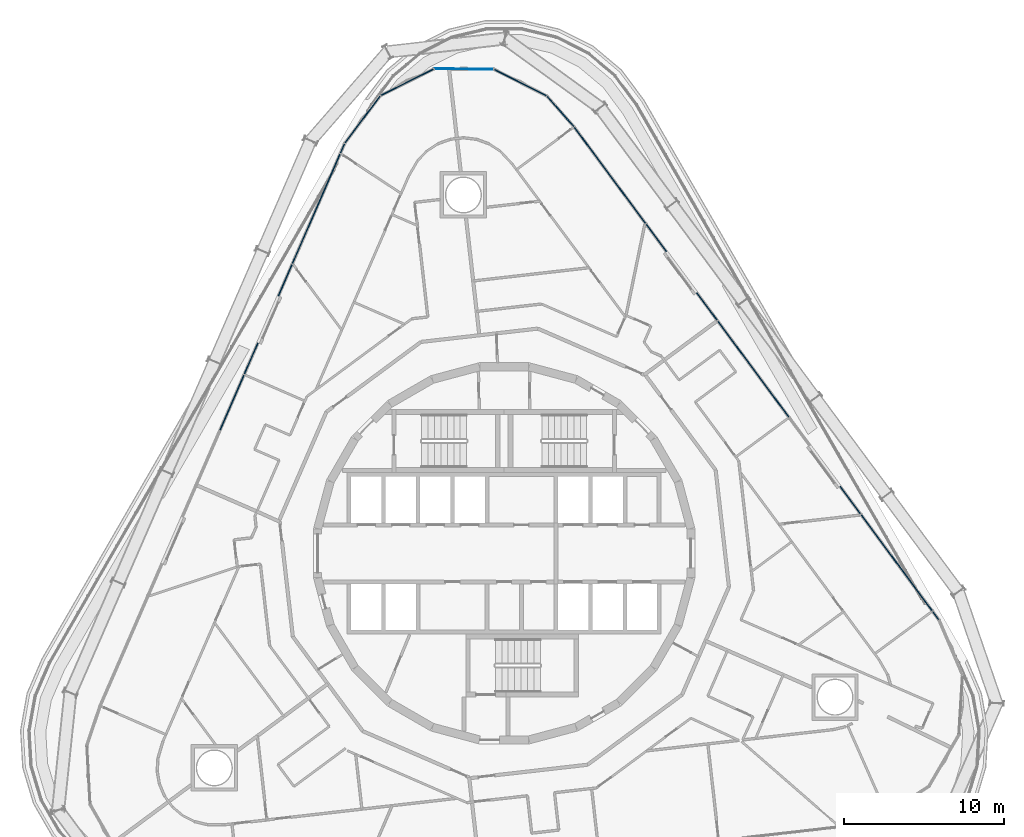
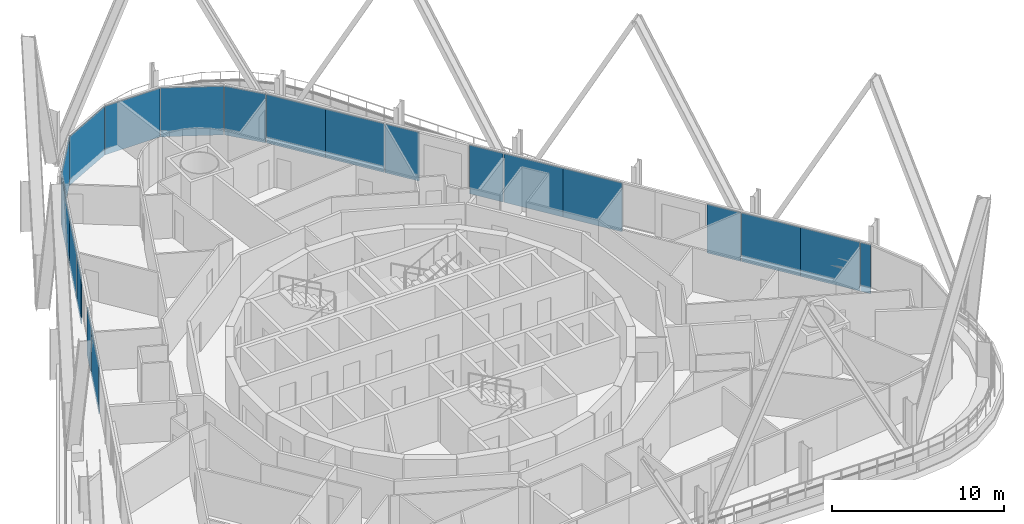
# One storey, part 15 of 32: 21 plates, 4 elements without a shape of their own.
"""IFC4 building model written with IfcOpenShell, lengths in metres."""

import ifcopenshell
import ifcopenshell.guid

model = None  # the IFC model being written
_history = None  # IfcOwnerHistory: only IFC2X3 demands one
_inside = {}  # id of a spatial element -> (the spatial element, [elements in it])
_under = {}  # id of a project, library or spatial element -> (it, [spatial elements below it])
_declared = {}  # id of a project -> (the project, [libraries it declares])
_typed = {}  # id of a type object -> (the type object, [elements of that type])
_made_of = {}  # id of a material, layer set ... -> (it, [elements and type objects made of it])


def new_model(schema):
    """Start an empty IFC model of exactly this schema.

    Asked for "IFC4X3", IfcOpenShell would pick the latest addendum, in which some entities
    have other attributes; the version numbers below select the first issue.
    IFC2X3 requires an IfcOwnerHistory on every rooted entity: one is made here for all.
    """
    global model, _history
    if schema == "IFC4X3":
        model = ifcopenshell.file(schema_version=(4, 3, 0, 0))
    else:
        model = ifcopenshell.file(schema=schema)
    _inside.clear()
    _under.clear()
    _declared.clear()
    _typed.clear()
    _made_of.clear()
    _history = None
    if model.schema == "IFC2X3":
        org = make("IfcOrganization", Name="unknown")
        user = make(
            "IfcPersonAndOrganization",
            ThePerson=make("IfcPerson", FamilyName="unknown"),
            TheOrganization=org,
        )
        app = make(
            "IfcApplication",
            ApplicationDeveloper=org,
            Version="unknown",
            ApplicationFullName="unknown",
            ApplicationIdentifier="unknown",
        )
        _history = make(
            "IfcOwnerHistory",
            OwningUser=user,
            OwningApplication=app,
            ChangeAction="ADDED",
            CreationDate=0,
        )
    return model


def make(cls, **values):
    """One entity of the class cls with the attributes given. An attribute that is None is left unset."""
    return model.create_entity(
        cls, **{name: value for name, value in values.items() if value is not None}
    )


def rooted(cls, **values):
    """An entity with a GlobalId (a new one), such as an element, a storey or a relation."""
    return make(cls, GlobalId=ifcopenshell.guid.new(), OwnerHistory=_history, **values)


def si_unit(unit_type, name, prefix=None):
    """IfcSIUnit, for example si_unit("LENGTHUNIT", "METRE", prefix="MILLI")."""
    return make("IfcSIUnit", UnitType=unit_type, Prefix=prefix, Name=name)


def assignment(units):
    """IfcUnitAssignment: the units of a project."""
    return None if units is None else make("IfcUnitAssignment", Units=units)


def point(xyz):
    """IfcCartesianPoint."""
    return None if xyz is None else make("IfcCartesianPoint", Coordinates=xyz)


def direction(xyz):
    """IfcDirection."""
    return None if xyz is None else make("IfcDirection", DirectionRatios=xyz)


def frame(location, z_axis=None, x_axis=None):
    """IfcAxis2Placement3D, a coordinate frame: its origin and axes. An axis left out is left unset."""
    return make(
        "IfcAxis2Placement3D",
        Location=point(location),
        Axis=direction(z_axis),
        RefDirection=direction(x_axis),
    )


def frame_2d(location, x_axis=None):
    """IfcAxis2Placement2D, a coordinate frame in the plane: its origin and x axis."""
    return make(
        "IfcAxis2Placement2D", Location=point(location), RefDirection=direction(x_axis)
    )


def origin():
    """The frame at (0, 0, 0) with its axes left unset."""
    return frame((0.0, 0.0, 0.0))


def origin_2d():
    """The frame at (0, 0) in the plane with its x axis left unset."""
    return frame_2d((0.0, 0.0))


def place(relative_to, where):
    """IfcLocalPlacement: puts the frame where relative to a parent placement (None: the world)."""
    return make(
        "IfcLocalPlacement", PlacementRelTo=relative_to, RelativePlacement=where
    )


def context(
    kind, dimensions, precision=None, world=None, true_north=None, identifier=None
):
    """IfcGeometricRepresentationContext, for example the 3D "Model" context."""
    return make(
        "IfcGeometricRepresentationContext",
        ContextIdentifier=identifier,
        ContextType=kind,
        CoordinateSpaceDimension=dimensions,
        Precision=precision,
        WorldCoordinateSystem=world,
        TrueNorth=true_north,
    )


def subcontext(parent, identifier, kind, view, scale=None):
    """IfcGeometricRepresentationSubContext, for example "Body" below "Model"."""
    return make(
        "IfcGeometricRepresentationSubContext",
        ContextIdentifier=identifier,
        ContextType=kind,
        ParentContext=parent,
        TargetScale=scale,
        TargetView=view,
    )


def project(units=None, contexts=None):
    """IfcProject with its units and contexts."""
    return rooted(
        "IfcProject",
        Name="project",
        RepresentationContexts=contexts,
        UnitsInContext=assignment(units),
    )


def spatial(cls, under=None, at=None, **own):
    """A site, building, storey or space (cls), placed at a placement, below another one or the project."""
    s = rooted(cls, ObjectPlacement=at, **own)
    if under is not None:
        _under.setdefault(under.id(), (under, []))[1].append(s)
    return s


def profile(cls, at=None, kind="AREA", **sizes):
    """A parametric profile (cls). Its sizes go by their IFC names, for example OverallWidth=200.0."""
    return make(cls, ProfileType=kind, Position=at, **sizes)


def rectangle(**sizes):
    """IfcRectangleProfileDef."""
    return profile("IfcRectangleProfileDef", **sizes)


def extrude(swept, where, along, depth):
    """IfcExtrudedAreaSolid: the profile swept, set in the frame where, extruded along a direction by depth."""
    return make(
        "IfcExtrudedAreaSolid",
        SweptArea=swept,
        Position=where,
        ExtrudedDirection=direction(along),
        Depth=depth,
    )


def shape(context_of_items, identifier, shape_type, items):
    """IfcShapeRepresentation: the items that make up one representation, for example the "Body"."""
    return make(
        "IfcShapeRepresentation",
        ContextOfItems=context_of_items,
        RepresentationIdentifier=identifier,
        RepresentationType=shape_type,
        Items=items,
    )


def material(Name=None, Category=None):
    """IfcMaterial."""
    return make("IfcMaterial", Name=Name, Category=Category)


def layer(
    of_material, thickness, ventilated=None, Name=None, Category=None, Priority=None
):
    """IfcMaterialLayer: one layer of a wall or slab, of a material (None: an air gap)."""
    return make(
        "IfcMaterialLayer",
        Material=of_material,
        LayerThickness=thickness,
        IsVentilated=ventilated,
        Name=Name,
        Category=Category,
        Priority=Priority,
    )


def layer_set(layers, Name=None):
    """IfcMaterialLayerSet."""
    return make("IfcMaterialLayerSet", MaterialLayers=layers, LayerSetName=Name)


def made_of(thing, what):
    """Note that an element or type object is made of a material, layer set ...; save() writes the relation."""
    if what is not None:
        _made_of.setdefault(what.id(), (what, []))[1].append(thing)
    return thing


def type_object(cls, material=None, **own):
    """A type object (cls), such as IfcWallType, which elements share."""
    return made_of(rooted(cls, **own), material)


def element(
    cls,
    number,
    at=None,
    inside=None,
    cuts=None,
    type_object=None,
    material=None,
    context=None,
    identifier="Body",
    shape_type=None,
    held_by="IfcProductDefinitionShape",
    body=None,
    shapes=None,
    **own,
):
    """One element of the class cls, such as IfcWall. Its Tag is "e" and its number.

    at: its placement. inside: the storey or other place that contains it. cuts: it is an
    opening in that element (IfcRelVoidsElement). A single representation is given by context,
    identifier, shape_type and body (its items); several are given by shapes. held_by: the class
    of the entity that holds the representations. save() writes the other relations.
    """
    e = rooted(cls, Tag="e%d" % number, ObjectPlacement=at, **own)
    if body is not None:
        shapes = [shape(context, identifier, shape_type, body)]
    if shapes is not None:
        e.Representation = make(held_by, Representations=shapes)
    if inside is not None:
        _inside.setdefault(inside.id(), (inside, []))[1].append(e)
    if cuts is not None:
        rooted(
            "IfcRelVoidsElement", RelatingBuildingElement=cuts, RelatedOpeningElement=e
        )
    if type_object is not None:
        _typed.setdefault(type_object.id(), (type_object, []))[1].append(e)
    return made_of(e, material)


def aggregate(whole, parts):
    """IfcRelAggregates: a whole, such as a stair, and the parts it consists of."""
    return rooted("IfcRelAggregates", RelatingObject=whole, RelatedObjects=parts)


def save(model, path):
    """Write the relations noted so far, then the file.

    IfcRelAggregates (storeys below a building ...), IfcRelContainedInSpatialStructure (elements
    in a storey), IfcRelDefinesByType, IfcRelAssociatesMaterial and IfcRelDeclares: one each for
    every whole, place, type object, material and project.
    """
    for whole, parts in _under.values():
        aggregate(whole, parts)
    for where, things in _inside.values():
        rooted(
            "IfcRelContainedInSpatialStructure",
            RelatedElements=things,
            RelatingStructure=where,
        )
    for kind, things in _typed.values():
        rooted("IfcRelDefinesByType", RelatedObjects=things, RelatingType=kind)
    for what, things in _made_of.values():
        rooted("IfcRelAssociatesMaterial", RelatedObjects=things, RelatingMaterial=what)
    for by, libraries in _declared.values():
        rooted("IfcRelDeclares", RelatingContext=by, RelatedDefinitions=libraries)
    model.write(path)


model = new_model("IFC4")

# Units and contexts
model_context = context("Model", 3, precision=1e-05, world=origin(), true_north=direction((0.0, 1.0)))
body_context = subcontext(model_context, "Body", "Model", "MODEL_VIEW")
ifc_project = project(units=[si_unit("LENGTHUNIT", "METRE"), si_unit("AREAUNIT", "SQUARE_METRE"), si_unit("VOLUMEUNIT", "CUBIC_METRE"), si_unit("PLANEANGLEUNIT", "RADIAN"), si_unit("MASSUNIT", "GRAM", prefix="KILO")], contexts=[model_context])

# Site, building, storey
site_placement = place(None, origin())
site = spatial("IfcSite", under=ifc_project, at=site_placement, CompositionType="ELEMENT")
building_placement = place(site_placement, origin())
building = spatial("IfcBuilding", under=site, at=building_placement, Name="Spindle Arch Residences", CompositionType="ELEMENT")
storey_placement = place(building_placement, frame((0.0, 0.0, 76.699951171875)))
storey = spatial("IfcBuildingStorey", under=building, at=storey_placement, Name="L17", CompositionType="ELEMENT", Elevation=76.699951171875)

# Curtain wall, plate
ifc_material_1 = material(Name="Aluminium bronze unitised frame with tinted glass", Category="aluminium")
ifc_layer_1 = layer(ifc_material_1, 0.159912109375)
ifc_layer_set_1 = layer_set([ifc_layer_1], Name="CW-D corner wall on the fillet arcs")
curtain_wall_type_1 = type_object("IfcCurtainWallType", Name="CW-D corner wall on the fillet arcs", PredefinedType="NOTDEFINED", material=ifc_layer_set_1)
curtain_wall_1_placement = place(storey_placement, origin())
curtain_wall_1 = element("IfcCurtainWall", 1, at=curtain_wall_1_placement, inside=storey, type_object=curtain_wall_type_1, Name="CW-D L17 run 1", PredefinedType="NOTDEFINED")
ifc_material_2 = material(Name="Tinted double glazing over aluminium faced non-combustible spandrel zone (K0)", Category="aluminium")
ifc_layer_2 = layer(ifc_material_2, 0.06005859375)
ifc_layer_set_2 = layer_set([ifc_layer_2], Name="Unitised glass panel with E 60 spandrel zone")
plate_type = type_object("IfcPlateType", Name="Unitised glass panel with E 60 spandrel zone", PredefinedType="CURTAIN_PANEL", material=ifc_layer_set_2)
plate_1_placement = place(storey_placement, frame((26.93408203125, -3.8896484375, -0.44970703125), z_axis=(0.0, 0.0, 1.0), x_axis=(-0.594822786751, 0.803856860617, 0.0)))
plate_1 = element("IfcPlate", 2, at=plate_1_placement, type_object=plate_type, Name="CW-D unit 05", PredefinedType="CURTAIN_PANEL", context=body_context, shape_type="SweptSolid", body=[
    extrude(rectangle(XDim=0.6416015625, YDim=0.06005859375, at=origin_2d()), origin(), (0.0, 0.0, 1.0), 3.449951171875),
])
aggregate(curtain_wall_1, [plate_1])

# Curtain wall, plates
ifc_material_3 = material(Name="Aluminium bronze unitised frame with tinted glass", Category="aluminium")
ifc_layer_3 = layer(ifc_material_3, 0.159912109375)
ifc_layer_set_3 = layer_set([ifc_layer_3], Name="CW-C typical residential unitised wall")
curtain_wall_type_2 = type_object("IfcCurtainWallType", Name="CW-C typical residential unitised wall", PredefinedType="NOTDEFINED", material=ifc_layer_set_3)
curtain_wall_2_placement = place(storey_placement, origin())
curtain_wall_2 = element("IfcCurtainWall", 3, at=curtain_wall_2_placement, inside=storey, type_object=curtain_wall_type_2, Name="CW-C L17 run 2", PredefinedType="NOTDEFINED")
plate_2_placement = place(storey_placement, frame((25.598388671875, -2.084716796875, -0.44970703125), z_axis=(0.0, 0.0, 1.0), x_axis=(-0.594822786751, 0.803856860617, 0.0)))
plate_2 = element("IfcPlate", 4, at=plate_2_placement, type_object=plate_type, Name="CW-C unit 05A", PredefinedType="CURTAIN_PANEL", context=body_context, shape_type="SweptSolid", body=[
    extrude(rectangle(XDim=3.7294921875, YDim=0.06005859375, at=origin_2d()), origin(), (0.0, 0.0, 1.0), 3.449951171875),
])
plate_3_placement = place(storey_placement, frame((23.380126953125, 0.913330078125, -0.44970703125), z_axis=(0.0, 0.0, 1.0), x_axis=(-0.594822786751, 0.803856860617, 0.0)))
plate_3 = element("IfcPlate", 5, at=plate_3_placement, type_object=plate_type, Name="CW-C unit 05B", PredefinedType="CURTAIN_PANEL", context=body_context, shape_type="SweptSolid", body=[
    extrude(rectangle(XDim=3.7294921875, YDim=0.06005859375, at=origin_2d()), origin(), (0.0, 0.0, 1.0), 3.449951171875),
])
plate_4_placement = place(storey_placement, frame((21.60205078125, 3.31640625, -0.44970703125), z_axis=(0.0, 0.0, 1.0), x_axis=(-0.594822786751, 0.803856860617, 0.0)))
plate_4 = element("IfcPlate", 6, at=plate_4_placement, type_object=plate_type, Name="CW-C unit 06L", PredefinedType="CURTAIN_PANEL", context=body_context, shape_type="SweptSolid", body=[
    extrude(rectangle(XDim=2.12939453125, YDim=0.06005859375, at=origin_2d()), origin(), (0.0, 0.0, 1.0), 3.449951171875),
])
plate_5_placement = place(storey_placement, frame((16.65380859375, 10.00341796875, -0.44970703125), z_axis=(0.0, 0.0, 1.0), x_axis=(-0.594822786751, 0.803856860617, 0.0)))
plate_5 = element("IfcPlate", 7, at=plate_5_placement, type_object=plate_type, Name="CW-C unit 07A", PredefinedType="CURTAIN_PANEL", context=body_context, shape_type="SweptSolid", body=[
    extrude(rectangle(XDim=3.7294921875, YDim=0.06005859375, at=origin_2d()), origin(), (0.0, 0.0, 1.0), 3.449951171875),
])
plate_6_placement = place(storey_placement, frame((14.435546875, 13.00146484375, -0.44970703125), z_axis=(0.0, 0.0, 1.0), x_axis=(-0.594822786751, 0.803856860617, 0.0)))
plate_6 = element("IfcPlate", 8, at=plate_6_placement, type_object=plate_type, Name="CW-C unit 07B", PredefinedType="CURTAIN_PANEL", context=body_context, shape_type="SweptSolid", body=[
    extrude(rectangle(XDim=3.7294921875, YDim=0.06005859375, at=origin_2d()), origin(), (0.0, 0.0, 1.0), 3.449951171875),
])
plate_7_placement = place(storey_placement, frame((12.6572265625, 15.404296875, -0.44970703125), z_axis=(0.0, 0.0, 1.0), x_axis=(-0.594822786751, 0.803856860617, 0.0)))
plate_7 = element("IfcPlate", 9, at=plate_7_placement, type_object=plate_type, Name="CW-C unit 08L", PredefinedType="CURTAIN_PANEL", context=body_context, shape_type="SweptSolid", body=[
    extrude(rectangle(XDim=2.12939453125, YDim=0.06005859375, at=origin_2d()), origin(), (0.0, 0.0, 1.0), 3.449951171875),
])
plate_8_placement = place(storey_placement, frame((9.4873046875, 19.6884765625, -0.44970703125), z_axis=(0.0, 0.0, 1.0), x_axis=(-0.594822786751, 0.803856860617, 0.0)))
plate_8 = element("IfcPlate", 10, at=plate_8_placement, type_object=plate_type, Name="CW-C unit 08R", PredefinedType="CURTAIN_PANEL", context=body_context, shape_type="SweptSolid", body=[
    extrude(rectangle(XDim=2.12939453125, YDim=0.06005859375, at=origin_2d()), origin(), (0.0, 0.0, 1.0), 3.449951171875),
])
plate_9_placement = place(storey_placement, frame((7.708984375, 22.091552734375, -0.44970703125), z_axis=(0.0, 0.0, 1.0), x_axis=(-0.594822786751, 0.803856860617, 0.0)))
plate_9 = element("IfcPlate", 11, at=plate_9_placement, type_object=plate_type, Name="CW-C unit 09A", PredefinedType="CURTAIN_PANEL", context=body_context, shape_type="SweptSolid", body=[
    extrude(rectangle(XDim=3.7294921875, YDim=0.06005859375, at=origin_2d()), origin(), (0.0, 0.0, 1.0), 3.449951171875),
])
plate_10_placement = place(storey_placement, frame((5.49072265625, 25.08935546875, -0.44970703125), z_axis=(0.0, 0.0, 1.0), x_axis=(-0.594822786751, 0.803856860617, 0.0)))
plate_10 = element("IfcPlate", 12, at=plate_10_placement, type_object=plate_type, Name="CW-C unit 09B", PredefinedType="CURTAIN_PANEL", context=body_context, shape_type="SweptSolid", body=[
    extrude(rectangle(XDim=3.7294921875, YDim=0.06005859375, at=origin_2d()), origin(), (0.0, 0.0, 1.0), 3.449951171875),
])
aggregate(curtain_wall_2, [plate_2, plate_3, plate_4, plate_5, plate_6, plate_7, plate_8, plate_9, plate_10])

curtain_wall_3_placement = place(storey_placement, origin())
curtain_wall_3 = element("IfcCurtainWall", 13, at=curtain_wall_3_placement, inside=storey, type_object=curtain_wall_type_1, Name="CW-D L17 run 3", PredefinedType="NOTDEFINED")
plate_11_placement = place(storey_placement, frame((3.513427734375, 27.57861328125, -0.44970703125), z_axis=(0.0, 0.0, 1.0), x_axis=(-0.660703891733, 0.750646632877, 0.0)))
plate_11 = element("IfcPlate", 14, at=plate_11_placement, type_object=plate_type, Name="CW-D unit 00", PredefinedType="CURTAIN_PANEL", context=body_context, shape_type="SweptSolid", body=[
    extrude(rectangle(XDim=2.51416015625, YDim=0.06005859375, at=origin_2d()), origin(), (0.0, 0.0, 1.0), 3.449951171875),
])
plate_12_placement = place(storey_placement, frame((1.000244140625, 29.385986328125, -0.44970703125), z_axis=(0.0, 0.0, 1.0), x_axis=(-0.892323355439, 0.451396753797, 0.0)))
plate_12 = element("IfcPlate", 15, at=plate_12_placement, type_object=plate_type, Name="CW-D unit 01", PredefinedType="CURTAIN_PANEL", context=body_context, shape_type="SweptSolid", body=[
    extrude(rectangle(XDim=3.666748046875, YDim=0.06005859375, at=origin_2d()), origin(), (0.0, 0.0, 1.0), 3.449951171875),
])
plate_13_placement = place(storey_placement, frame((-2.52587890625, 30.232421875, -0.44970703125), z_axis=(0.0, 0.0, 1.0), x_axis=(-0.999995769195, 0.002908881551, 0.0)))
plate_13 = element("IfcPlate", 16, at=plate_13_placement, type_object=plate_type, Name="CW-D unit 02", PredefinedType="CURTAIN_PANEL", context=body_context, shape_type="SweptSolid", body=[
    extrude(rectangle(XDim=3.666748046875, YDim=0.06005859375, at=origin_2d()), origin(), (0.0, 0.0, 1.0), 3.449951171875),
])
plate_14_placement = place(storey_placement, frame((-6.056884765625, 29.406494140625, -0.44970703125), z_axis=(0.0, 0.0, 1.0), x_axis=(-0.89493436175, -0.446197812813, 0.0)))
plate_14 = element("IfcPlate", 17, at=plate_14_placement, type_object=plate_type, Name="CW-D unit 03", PredefinedType="CURTAIN_PANEL", context=body_context, shape_type="SweptSolid", body=[
    extrude(rectangle(XDim=3.666748046875, YDim=0.06005859375, at=origin_2d()), origin(), (0.0, 0.0, 1.0), 3.449951171875),
])
plate_15_placement = place(storey_placement, frame((-8.841552734375, 27.08349609375, -0.44970703125), z_axis=(0.0, 0.0, 1.0), x_axis=(-0.599489340736, -0.800382739909, 0.0)))
plate_15 = element("IfcPlate", 18, at=plate_15_placement, type_object=plate_type, Name="CW-D unit 04", PredefinedType="CURTAIN_PANEL", context=body_context, shape_type="SweptSolid", body=[
    extrude(rectangle(XDim=3.666748046875, YDim=0.06005859375, at=origin_2d()), origin(), (0.0, 0.0, 1.0), 3.449951171875),
])
plate_16_placement = place(storey_placement, frame((-10.098388671875, 25.2705078125, -0.44970703125), z_axis=(0.0, 0.0, 1.0), x_axis=(-0.398749068925, -0.917060074385, 0.0)))
plate_16 = element("IfcPlate", 19, at=plate_16_placement, type_object=plate_type, Name="CW-D unit 05", PredefinedType="CURTAIN_PANEL", context=body_context, shape_type="SweptSolid", body=[
    extrude(rectangle(XDim=0.6416015625, YDim=0.06005859375, at=origin_2d()), origin(), (0.0, 0.0, 1.0), 3.449951171875),
])
aggregate(curtain_wall_3, [plate_11, plate_12, plate_13, plate_14, plate_15, plate_16])

curtain_wall_4_placement = place(storey_placement, origin())
curtain_wall_4 = element("IfcCurtainWall", 20, at=curtain_wall_4_placement, inside=storey, type_object=curtain_wall_type_2, Name="CW-C L17 run 4", PredefinedType="NOTDEFINED")
plate_17_placement = place(storey_placement, frame((-10.993896484375, 23.211181640625, -0.44970703125), z_axis=(0.0, 0.0, 1.0), x_axis=(-0.398749068925, -0.917060074385, 0.0)))
plate_17 = element("IfcPlate", 21, at=plate_17_placement, type_object=plate_type, Name="CW-C unit 13A", PredefinedType="CURTAIN_PANEL", context=body_context, shape_type="SweptSolid", body=[
    extrude(rectangle(XDim=3.7294921875, YDim=0.06005859375, at=origin_2d()), origin(), (0.0, 0.0, 1.0), 3.449951171875),
])
plate_18_placement = place(storey_placement, frame((-12.48095703125, 19.791259765625, -0.44970703125), z_axis=(0.0, 0.0, 1.0), x_axis=(-0.398749068925, -0.917060074385, 0.0)))
plate_18 = element("IfcPlate", 22, at=plate_18_placement, type_object=plate_type, Name="CW-C unit 13B", PredefinedType="CURTAIN_PANEL", context=body_context, shape_type="SweptSolid", body=[
    extrude(rectangle(XDim=3.7294921875, YDim=0.06005859375, at=origin_2d()), origin(), (0.0, 0.0, 1.0), 3.449951171875),
])
plate_19_placement = place(storey_placement, frame((-13.673095703125, 17.0498046875, -0.44970703125), z_axis=(0.0, 0.0, 1.0), x_axis=(-0.398749068925, -0.917060074385, 0.0)))
plate_19 = element("IfcPlate", 23, at=plate_19_placement, type_object=plate_type, Name="CW-C unit 14L", PredefinedType="CURTAIN_PANEL", context=body_context, shape_type="SweptSolid", body=[
    extrude(rectangle(XDim=2.12939453125, YDim=0.06005859375, at=origin_2d()), origin(), (0.0, 0.0, 1.0), 3.449951171875),
])
plate_20_placement = place(storey_placement, frame((-15.798095703125, 12.162353515625, -0.44970703125), z_axis=(0.0, 0.0, 1.0), x_axis=(-0.398749068925, -0.917060074385, 0.0)))
plate_20 = element("IfcPlate", 24, at=plate_20_placement, type_object=plate_type, Name="CW-C unit 14R", PredefinedType="CURTAIN_PANEL", context=body_context, shape_type="SweptSolid", body=[
    extrude(rectangle(XDim=2.12939453125, YDim=0.06005859375, at=origin_2d()), origin(), (0.0, 0.0, 1.0), 3.449951171875),
])
plate_21_placement = place(storey_placement, frame((-16.990234375, 9.4208984375, -0.44970703125), z_axis=(0.0, 0.0, 1.0), x_axis=(-0.398749068925, -0.917060074385, 0.0)))
plate_21 = element("IfcPlate", 25, at=plate_21_placement, type_object=plate_type, Name="CW-C unit 15A", PredefinedType="CURTAIN_PANEL", context=body_context, shape_type="SweptSolid", body=[
    extrude(rectangle(XDim=3.7294921875, YDim=0.06005859375, at=origin_2d()), origin(), (0.0, 0.0, 1.0), 3.449951171875),
])
aggregate(curtain_wall_4, [plate_17, plate_18, plate_19, plate_20, plate_21])

save(model, "model.ifc")
